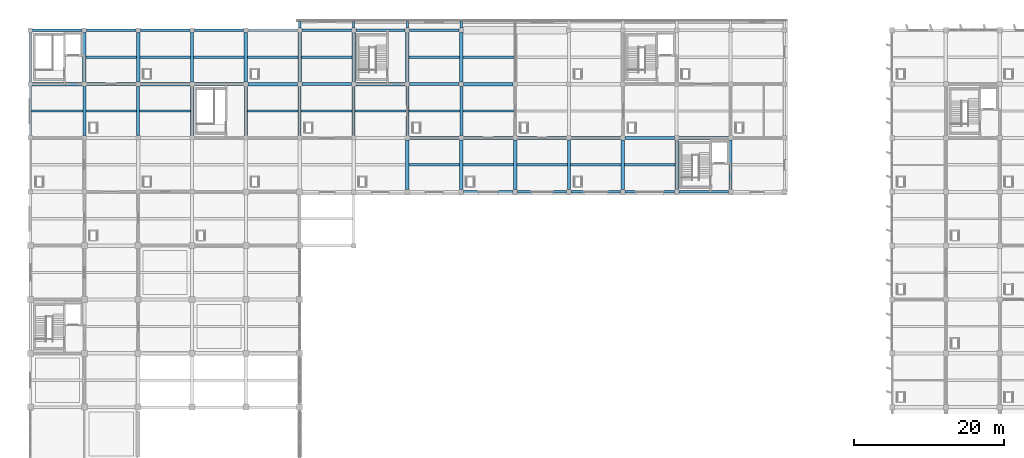
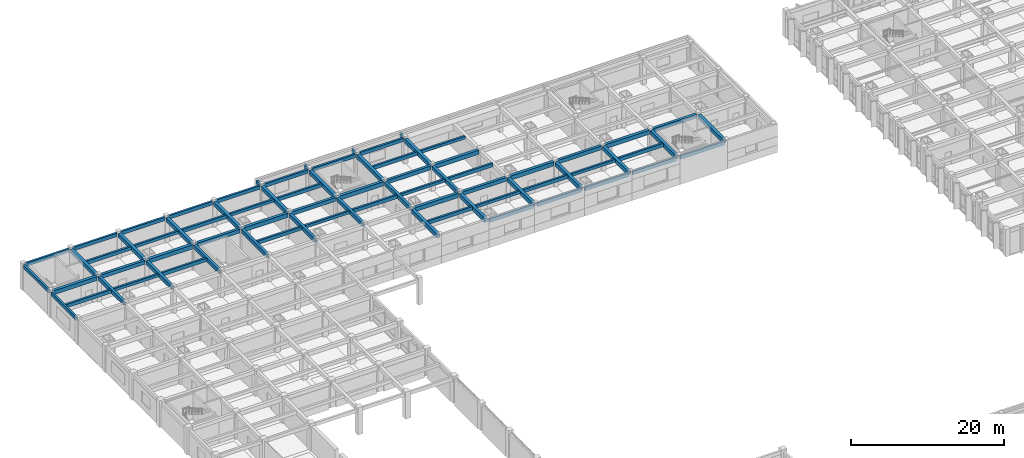
# One storey, part 14 of 70: 77 beams.
"""IFC4 building model written with IfcOpenShell, lengths in metres."""

from ifc_helpers import new_model, si_unit, direction, frame, origin, origin_2d, place, context, subcontext, project, spatial, rectangle, extrude, material, material_profile, profile_set, type_object, element, save


model = new_model("IFC4")

# Units and contexts
model_context = context("Model", 3, precision=1e-05, world=origin(), true_north=direction((0.0, 1.0)))
body_context = subcontext(model_context, "Body", "Model", "MODEL_VIEW")
ifc_project = project(units=[si_unit("LENGTHUNIT", "METRE"), si_unit("AREAUNIT", "SQUARE_METRE"), si_unit("VOLUMEUNIT", "CUBIC_METRE"), si_unit("PLANEANGLEUNIT", "RADIAN"), si_unit("MASSUNIT", "GRAM", prefix="KILO")], contexts=[model_context])

# Site, building, storey
site_placement = place(None, origin())
site = spatial("IfcSite", under=ifc_project, at=site_placement, CompositionType="ELEMENT")
building_placement = place(site_placement, origin())
building = spatial("IfcBuilding", under=site, at=building_placement, Name="Kavelor Marine Aquarium", CompositionType="ELEMENT")
storey_placement = place(building_placement, frame((0.0, 0.0, 9.179931640625)))
storey = spatial("IfcBuildingStorey", under=building, at=storey_placement, Name="L02", CompositionType="ELEMENT", Elevation=9.179931640625)

# Beams
ifc_material_1 = material(Name="Concrete C40/50", Category="concrete")
ifc_material_profile_1 = material_profile(ifc_material_1, rectangle(XDim=0.449951171875, YDim=0.64990234375, at=origin_2d()), Name="RC-BM 450x650")
ifc_profile_set_1 = profile_set([ifc_material_profile_1], Name="Concrete C40/50")
beam_type_1 = type_object("IfcBeamType", Name="BM-B3", PredefinedType="BEAM", material=ifc_profile_set_1)
for number, where, z_axis, x_axis, name in (
    (1, (3.5, 103.60009765625, 3.715087890625), (1.0, 0.0, 0.0), (0.0, 1.0, 0.0), "bm:x:L02:L03:00_14"),
    (2, (17.89990234375, 103.60009765625, 3.715087890625), (1.0, 0.0, 0.0), (0.0, 1.0, 0.0), "bm:x:L02:L03:02_14"),
):
    element("IfcBeam", number, at=place(storey_placement, frame(where, z_axis=z_axis, x_axis=x_axis)), inside=storey, type_object=beam_type_1, Name=name, PredefinedType="BEAM", context=body_context, shape_type="SweptSolid", body=[
        extrude(rectangle(XDim=0.449951171875, YDim=0.64990234375, at=origin_2d()), origin(), (0.0, 0.0, 1.0), 6.60009765625),
    ])
beam_1_placement = place(storey_placement, frame((32.300048828125, 103.60009765625, 3.715087890625), z_axis=(1.0, 0.0, 0.0), x_axis=(0.0, 1.0, 0.0)))
element("IfcBeam", 3, at=beam_1_placement, inside=storey, type_object=beam_type_1, Name="bm:x:L02:L03:04_14", PredefinedType="BEAM", context=body_context, shape_type="SweptSolid", body=[
    extrude(rectangle(XDim=0.449951171875, YDim=0.64990234375, at=origin_2d()), origin(), (0.0, 0.0, 1.0), 6.599853515625),
])
for number, where, z_axis, x_axis, name in (
    (4, (46.699951171875, 103.60009765625, 3.695068359375), (1.0, 0.0, 0.0), (0.0, 1.0, 0.0), "bm:x:L02:L03:06_14"),
    (5, (53.89990234375, 96.39990234375, 3.695068359375), (1.0, 0.0, 0.0), (0.0, 1.0, 0.0), "bm:x:L02:L03:07_13"),
):
    element("IfcBeam", number, at=place(storey_placement, frame(where, z_axis=z_axis, x_axis=x_axis)), inside=storey, type_object=beam_type_1, Name=name, PredefinedType="BEAM", context=body_context, shape_type="SweptSolid", body=[
        extrude(rectangle(XDim=0.449951171875, YDim=0.64990234375, at=origin_2d()), origin(), (0.0, 0.0, 1.0), 6.60009765625),
    ])
for number, where, z_axis, x_axis, name in (
    (6, (61.10009765625, 103.60009765625, 3.695068359375), (1.0, 0.0, 0.0), (0.0, 1.0, 0.0), "bm:x:L02:L03:08_14"),
    (7, (68.300048828125, 96.39990234375, 3.695068359375), (1.0, 0.0, 0.0), (0.0, 1.0, 0.0), "bm:x:L02:L03:09_13"),
):
    element("IfcBeam", number, at=place(storey_placement, frame(where, z_axis=z_axis, x_axis=x_axis)), inside=storey, type_object=beam_type_1, Name=name, PredefinedType="BEAM", context=body_context, shape_type="SweptSolid", body=[
        extrude(rectangle(XDim=0.449951171875, YDim=0.64990234375, at=origin_2d()), origin(), (0.0, 0.0, 1.0), 6.599853515625),
    ])
for number, where, z_axis, x_axis, name in (
    (8, (82.699951171875, 96.39990234375, 3.695068359375), (1.0, 0.0, 0.0), (0.0, 1.0, 0.0), "bm:x:L02:L03:11_13"),
    (9, (10.39990234375, 103.89990234375, 3.715087890625), (0.0, 1.0, 0.0), (-1.0, 0.0, 0.0), "bm:y:L02:L03:01_14"),
    (10, (17.60009765625, 103.89990234375, 3.715087890625), (0.0, 1.0, 0.0), (-1.0, 0.0, 0.0), "bm:y:L02:L03:02_14"),
    (11, (24.800048828125, 103.89990234375, 3.715087890625), (0.0, 1.0, 0.0), (-1.0, 0.0, 0.0), "bm:y:L02:L03:03_14"),
    (12, (32.0, 103.89990234375, 3.715087890625), (0.0, 1.0, 0.0), (-1.0, 0.0, 0.0), "bm:y:L02:L03:04_14"),
    (13, (39.199951171875, 103.89990234375, 3.715087890625), (0.0, 1.0, 0.0), (-1.0, 0.0, 0.0), "bm:y:L02:L03:05_14"),
    (14, (46.39990234375, 103.89990234375, 3.695068359375), (0.0, 1.0, 0.0), (-1.0, 0.0, 0.0), "bm:y:L02:L03:06_14"),
    (15, (53.60009765625, 89.5, 3.695068359375), (0.0, 1.0, 0.0), (-1.0, 0.0, 0.0), "bm:y:L02:L03:07_12"),
    (16, (53.60009765625, 103.89990234375, 3.695068359375), (0.0, 1.0, 0.0), (-1.0, 0.0, 0.0), "bm:y:L02:L03:07_14"),
    (17, (60.800048828125, 89.5, 3.695068359375), (0.0, 1.0, 0.0), (-1.0, 0.0, 0.0), "bm:y:L02:L03:08_12"),
    (18, (60.800048828125, 103.89990234375, 3.695068359375), (0.0, 1.0, 0.0), (-1.0, 0.0, 0.0), "bm:y:L02:L03:08_14"),
    (19, (68.0, 89.5, 3.695068359375), (0.0, 1.0, 0.0), (-1.0, 0.0, 0.0), "bm:y:L02:L03:09_12"),
    (20, (75.199951171875, 89.5, 3.695068359375), (0.0, 1.0, 0.0), (-1.0, 0.0, 0.0), "bm:y:L02:L03:10_12"),
    (21, (82.39990234375, 89.5, 3.695068359375), (0.0, 1.0, 0.0), (-1.0, 0.0, 0.0), "bm:y:L02:L03:11_12"),
    (22, (89.60009765625, 89.5, 3.695068359375), (0.0, 1.0, 0.0), (-1.0, 0.0, 0.0), "bm:y:L02:L03:12_12"),
    (23, (96.800048828125, 89.5, 3.695068359375), (0.0, 1.0, 0.0), (-1.0, 0.0, 0.0), "bm:y:L02:L03:13_12"),
):
    element("IfcBeam", number, at=place(storey_placement, frame(where, z_axis=z_axis, x_axis=x_axis)), inside=storey, type_object=beam_type_1, Name=name, PredefinedType="BEAM", context=body_context, shape_type="SweptSolid", body=[
        extrude(rectangle(XDim=0.449951171875, YDim=0.64990234375, at=origin_2d()), origin(), (0.0, 0.0, 1.0), 6.60009765625),
    ])
ifc_material_2 = material(Name="Concrete C40/50", Category="concrete")
ifc_material_profile_2 = material_profile(ifc_material_2, rectangle(XDim=0.39990234375, YDim=0.60009765625, at=origin_2d()), Name="RC-BM 400x600")
ifc_profile_set_2 = profile_set([ifc_material_profile_2], Name="Concrete C40/50")
beam_type_2 = type_object("IfcBeamType", Name="BM-B4", PredefinedType="BEAM", material=ifc_profile_set_2)
beam_2_placement = place(storey_placement, frame((10.699951171875, 103.60009765625, 3.739990234375), z_axis=(1.0, 0.0, 0.0), x_axis=(0.0, 1.0, 0.0)))
element("IfcBeam", 24, at=beam_2_placement, inside=storey, type_object=beam_type_2, Name="bm:x:L02:L03:01_14", PredefinedType="BEAM", context=body_context, shape_type="SweptSolid", body=[
    extrude(rectangle(XDim=0.39990234375, YDim=0.60009765625, at=origin_2d()), origin(), (0.0, 0.0, 1.0), 6.60009765625),
])
beam_3_placement = place(storey_placement, frame((25.10009765625, 103.60009765625, 3.739990234375), z_axis=(1.0, 0.0, 0.0), x_axis=(0.0, 1.0, 0.0)))
element("IfcBeam", 25, at=beam_3_placement, inside=storey, type_object=beam_type_2, Name="bm:x:L02:L03:03_14", PredefinedType="BEAM", context=body_context, shape_type="SweptSolid", body=[
    extrude(rectangle(XDim=0.39990234375, YDim=0.60009765625, at=origin_2d()), origin(), (0.0, 0.0, 1.0), 6.599853515625),
])
for number, where, z_axis, x_axis, name in (
    (26, (39.5, 103.60009765625, 3.719970703125), (1.0, 0.0, 0.0), (0.0, 1.0, 0.0), "bm:x:L02:L03:05_14"),
    (27, (53.89990234375, 103.60009765625, 3.719970703125), (1.0, 0.0, 0.0), (0.0, 1.0, 0.0), "bm:x:L02:L03:07_14"),
):
    element("IfcBeam", number, at=place(storey_placement, frame(where, z_axis=z_axis, x_axis=x_axis)), inside=storey, type_object=beam_type_2, Name=name, PredefinedType="BEAM", context=body_context, shape_type="SweptSolid", body=[
        extrude(rectangle(XDim=0.39990234375, YDim=0.60009765625, at=origin_2d()), origin(), (0.0, 0.0, 1.0), 6.60009765625),
    ])
beam_4_placement = place(storey_placement, frame((61.10009765625, 96.39990234375, 3.719970703125), z_axis=(1.0, 0.0, 0.0), x_axis=(0.0, 1.0, 0.0)))
element("IfcBeam", 28, at=beam_4_placement, inside=storey, type_object=beam_type_2, Name="bm:x:L02:L03:08_13", PredefinedType="BEAM", context=body_context, shape_type="SweptSolid", body=[
    extrude(rectangle(XDim=0.39990234375, YDim=0.60009765625, at=origin_2d()), origin(), (0.0, 0.0, 1.0), 6.599853515625),
])
for number, where, z_axis, x_axis, name in (
    (29, (75.5, 96.39990234375, 3.719970703125), (1.0, 0.0, 0.0), (0.0, 1.0, 0.0), "bm:x:L02:L03:10_13"),
    (30, (89.89990234375, 96.39990234375, 3.719970703125), (1.0, 0.0, 0.0), (0.0, 1.0, 0.0), "bm:x:L02:L03:12_13"),
    (31, (10.39990234375, 96.699951171875, 3.739990234375), (0.0, 1.0, 0.0), (-1.0, 0.0, 0.0), "bm:y:L02:L03:01_13"),
    (32, (17.60009765625, 96.699951171875, 3.739990234375), (0.0, 1.0, 0.0), (-1.0, 0.0, 0.0), "bm:y:L02:L03:02_13"),
    (33, (24.800048828125, 96.699951171875, 3.739990234375), (0.0, 1.0, 0.0), (-1.0, 0.0, 0.0), "bm:y:L02:L03:03_13"),
    (34, (32.0, 96.699951171875, 3.739990234375), (0.0, 1.0, 0.0), (-1.0, 0.0, 0.0), "bm:y:L02:L03:04_13"),
    (35, (39.199951171875, 96.699951171875, 3.719970703125), (0.0, 1.0, 0.0), (-1.0, 0.0, 0.0), "bm:y:L02:L03:05_13"),
    (36, (46.39990234375, 96.699951171875, 3.719970703125), (0.0, 1.0, 0.0), (-1.0, 0.0, 0.0), "bm:y:L02:L03:06_13"),
    (37, (53.60009765625, 96.699951171875, 3.719970703125), (0.0, 1.0, 0.0), (-1.0, 0.0, 0.0), "bm:y:L02:L03:07_13"),
    (38, (60.800048828125, 96.699951171875, 3.719970703125), (0.0, 1.0, 0.0), (-1.0, 0.0, 0.0), "bm:y:L02:L03:08_13"),
):
    element("IfcBeam", number, at=place(storey_placement, frame(where, z_axis=z_axis, x_axis=x_axis)), inside=storey, type_object=beam_type_2, Name=name, PredefinedType="BEAM", context=body_context, shape_type="SweptSolid", body=[
        extrude(rectangle(XDim=0.39990234375, YDim=0.60009765625, at=origin_2d()), origin(), (0.0, 0.0, 1.0), 6.60009765625),
    ])
ifc_material_3 = material(Name="Concrete C40/50", Category="concrete")
ifc_material_profile_3 = material_profile(ifc_material_3, rectangle(XDim=0.300048828125, YDim=0.449951171875, at=origin_2d()), Name="RC-JS 300x450")
ifc_profile_set_3 = profile_set([ifc_material_profile_3], Name="Concrete C40/50")
beam_type_3 = type_object("IfcBeamType", Name="BM-JS1", PredefinedType="JOIST", material=ifc_profile_set_3)
beam_5_placement = place(storey_placement, frame((10.60009765625, 100.0, 3.815185546875), z_axis=(1.0, 0.0, 0.0), x_axis=(0.0, 1.0, 0.0)))
element("IfcBeam", 39, at=beam_5_placement, inside=storey, type_object=beam_type_3, Name="js:L02:L03:01_13", PredefinedType="JOIST", context=body_context, shape_type="SweptSolid", body=[
    extrude(rectangle(XDim=0.300048828125, YDim=0.449951171875, at=origin_2d()), origin(), (0.0, 0.0, 1.0), 6.7998046875),
])
for number, where, z_axis, x_axis, name in (
    (40, (17.824951171875, 107.199951171875, 3.815185546875), (1.0, 0.0, 0.0), (0.0, 1.0, 0.0), "js:L02:L03:02_14"),
    (41, (32.22509765625, 107.199951171875, 3.815185546875), (1.0, 0.0, 0.0), (0.0, 1.0, 0.0), "js:L02:L03:04_14"),
):
    element("IfcBeam", number, at=place(storey_placement, frame(where, z_axis=z_axis, x_axis=x_axis)), inside=storey, type_object=beam_type_3, Name=name, PredefinedType="JOIST", context=body_context, shape_type="SweptSolid", body=[
        extrude(rectangle(XDim=0.300048828125, YDim=0.449951171875, at=origin_2d()), origin(), (0.0, 0.0, 1.0), 6.75),
    ])
for number, where, z_axis, x_axis, name in (
    (42, (39.39990234375, 100.0, 3.795166015625), (1.0, 0.0, 0.0), (0.0, 1.0, 0.0), "js:L02:L03:05_13"),
    (43, (53.800048828125, 100.0, 3.795166015625), (1.0, 0.0, 0.0), (0.0, 1.0, 0.0), "js:L02:L03:07_13"),
):
    element("IfcBeam", number, at=place(storey_placement, frame(where, z_axis=z_axis, x_axis=x_axis)), inside=storey, type_object=beam_type_3, Name=name, PredefinedType="JOIST", context=body_context, shape_type="SweptSolid", body=[
        extrude(rectangle(XDim=0.300048828125, YDim=0.449951171875, at=origin_2d()), origin(), (0.0, 0.0, 1.0), 6.800048828125),
    ])
for number, where, z_axis, x_axis, name in (
    (44, (61.02490234375, 92.800048828125, 3.795166015625), (1.0, 0.0, 0.0), (0.0, 1.0, 0.0), "js:L02:L03:08_12"),
    (45, (61.02490234375, 107.199951171875, 3.795166015625), (1.0, 0.0, 0.0), (0.0, 1.0, 0.0), "js:L02:L03:08_14"),
    (46, (75.425048828125, 92.800048828125, 3.795166015625), (1.0, 0.0, 0.0), (0.0, 1.0, 0.0), "js:L02:L03:10_12"),
):
    element("IfcBeam", number, at=place(storey_placement, frame(where, z_axis=z_axis, x_axis=x_axis)), inside=storey, type_object=beam_type_3, Name=name, PredefinedType="JOIST", context=body_context, shape_type="SweptSolid", body=[
        extrude(rectangle(XDim=0.300048828125, YDim=0.449951171875, at=origin_2d()), origin(), (0.0, 0.0, 1.0), 6.75),
    ])
ifc_material_4 = material(Name="Concrete C40/50", Category="concrete")
ifc_material_profile_4 = material_profile(ifc_material_4, rectangle(XDim=0.300048828125, YDim=0.550048828125, at=origin_2d()), Name="RC-JS 300x550")
ifc_profile_set_4 = profile_set([ifc_material_profile_4], Name="Concrete C40/50")
beam_type_4 = type_object("IfcBeamType", Name="BM-JS2", PredefinedType="JOIST", material=ifc_profile_set_4)
beam_6_placement = place(storey_placement, frame((3.35009765625, 100.0, 3.76513671875), z_axis=(1.0, 0.0, 0.0), x_axis=(0.0, 1.0, 0.0)))
element("IfcBeam", 47, at=beam_6_placement, inside=storey, type_object=beam_type_4, Name="js:L02:L03:00_13", PredefinedType="JOIST", context=body_context, shape_type="SweptSolid", body=[
    extrude(rectangle(XDim=0.300048828125, YDim=0.550048828125, at=origin_2d()), origin(), (0.0, 0.0, 1.0), 6.849853515625),
])
beam_7_placement = place(storey_placement, frame((10.625, 107.199951171875, 3.76513671875), z_axis=(1.0, 0.0, 0.0), x_axis=(0.0, 1.0, 0.0)))
element("IfcBeam", 48, at=beam_7_placement, inside=storey, type_object=beam_type_4, Name="js:L02:L03:01_14", PredefinedType="JOIST", context=body_context, shape_type="SweptSolid", body=[
    extrude(rectangle(XDim=0.300048828125, YDim=0.550048828125, at=origin_2d()), origin(), (0.0, 0.0, 1.0), 6.75),
])
beam_8_placement = place(storey_placement, frame((17.800048828125, 100.0, 3.76513671875), z_axis=(1.0, 0.0, 0.0), x_axis=(0.0, 1.0, 0.0)))
element("IfcBeam", 49, at=beam_8_placement, inside=storey, type_object=beam_type_4, Name="js:L02:L03:02_13", PredefinedType="JOIST", context=body_context, shape_type="SweptSolid", body=[
    extrude(rectangle(XDim=0.300048828125, YDim=0.550048828125, at=origin_2d()), origin(), (0.0, 0.0, 1.0), 6.800048828125),
])
beam_9_placement = place(storey_placement, frame((25.02490234375, 107.199951171875, 3.76513671875), z_axis=(1.0, 0.0, 0.0), x_axis=(0.0, 1.0, 0.0)))
element("IfcBeam", 50, at=beam_9_placement, inside=storey, type_object=beam_type_4, Name="js:L02:L03:03_14", PredefinedType="JOIST", context=body_context, shape_type="SweptSolid", body=[
    extrude(rectangle(XDim=0.300048828125, YDim=0.550048828125, at=origin_2d()), origin(), (0.0, 0.0, 1.0), 6.75),
])
beam_10_placement = place(storey_placement, frame((32.199951171875, 100.0, 3.76513671875), z_axis=(1.0, 0.0, 0.0), x_axis=(0.0, 1.0, 0.0)))
element("IfcBeam", 51, at=beam_10_placement, inside=storey, type_object=beam_type_4, Name="js:L02:L03:04_13", PredefinedType="JOIST", context=body_context, shape_type="SweptSolid", body=[
    extrude(rectangle(XDim=0.300048828125, YDim=0.550048828125, at=origin_2d()), origin(), (0.0, 0.0, 1.0), 6.800048828125),
])
beam_11_placement = place(storey_placement, frame((39.425048828125, 107.199951171875, 3.76513671875), z_axis=(1.0, 0.0, 0.0), x_axis=(0.0, 1.0, 0.0)))
element("IfcBeam", 52, at=beam_11_placement, inside=storey, type_object=beam_type_4, Name="js:L02:L03:05_14", PredefinedType="JOIST", context=body_context, shape_type="SweptSolid", body=[
    extrude(rectangle(XDim=0.300048828125, YDim=0.550048828125, at=origin_2d()), origin(), (0.0, 0.0, 1.0), 6.75),
])
beam_12_placement = place(storey_placement, frame((46.60009765625, 100.0, 3.76513671875), z_axis=(1.0, 0.0, 0.0), x_axis=(0.0, 1.0, 0.0)))
element("IfcBeam", 53, at=beam_12_placement, inside=storey, type_object=beam_type_4, Name="js:L02:L03:06_13", PredefinedType="JOIST", context=body_context, shape_type="SweptSolid", body=[
    extrude(rectangle(XDim=0.300048828125, YDim=0.550048828125, at=origin_2d()), origin(), (0.0, 0.0, 1.0), 6.7998046875),
])
for number, where, z_axis, x_axis, name in (
    (54, (53.824951171875, 92.800048828125, 3.76513671875), (1.0, 0.0, 0.0), (0.0, 1.0, 0.0), "js:L02:L03:07_12"),
    (55, (53.824951171875, 107.199951171875, 3.76513671875), (1.0, 0.0, 0.0), (0.0, 1.0, 0.0), "js:L02:L03:07_14"),
):
    element("IfcBeam", number, at=place(storey_placement, frame(where, z_axis=z_axis, x_axis=x_axis)), inside=storey, type_object=beam_type_4, Name=name, PredefinedType="JOIST", context=body_context, shape_type="SweptSolid", body=[
        extrude(rectangle(XDim=0.300048828125, YDim=0.550048828125, at=origin_2d()), origin(), (0.0, 0.0, 1.0), 6.75),
    ])
beam_13_placement = place(storey_placement, frame((61.0, 100.0, 3.76513671875), z_axis=(1.0, 0.0, 0.0), x_axis=(0.0, 1.0, 0.0)))
element("IfcBeam", 56, at=beam_13_placement, inside=storey, type_object=beam_type_4, Name="js:L02:L03:08_13", PredefinedType="JOIST", context=body_context, shape_type="SweptSolid", body=[
    extrude(rectangle(XDim=0.300048828125, YDim=0.550048828125, at=origin_2d()), origin(), (0.0, 0.0, 1.0), 6.800048828125),
])
for number, where, z_axis, x_axis, name in (
    (57, (68.22509765625, 92.800048828125, 3.76513671875), (1.0, 0.0, 0.0), (0.0, 1.0, 0.0), "js:L02:L03:09_12"),
    (58, (82.625, 92.800048828125, 3.76513671875), (1.0, 0.0, 0.0), (0.0, 1.0, 0.0), "js:L02:L03:11_12"),
):
    element("IfcBeam", number, at=place(storey_placement, frame(where, z_axis=z_axis, x_axis=x_axis)), inside=storey, type_object=beam_type_4, Name=name, PredefinedType="JOIST", context=body_context, shape_type="SweptSolid", body=[
        extrude(rectangle(XDim=0.300048828125, YDim=0.550048828125, at=origin_2d()), origin(), (0.0, 0.0, 1.0), 6.75),
    ])
ifc_material_5 = material(Name="Concrete C40/50", Category="concrete")
ifc_material_profile_5 = material_profile(ifc_material_5, rectangle(XDim=0.300048828125, YDim=0.550048828125, at=origin_2d()), Name="RC-SP 300x550")
ifc_profile_set_5 = profile_set([ifc_material_profile_5], Name="Concrete C40/50")
beam_type_5 = type_object("IfcBeamType", Name="BM-SP2", PredefinedType="SPANDREL", material=ifc_profile_set_5)
for number, where, z_axis, x_axis, name in (
    (59, (3.5, 110.800048828125, 3.76513671875), (1.0, 0.0, 0.0), (0.0, 1.0, 0.0), "bm:x:L02:L03:00_15"),
    (60, (10.699951171875, 110.800048828125, 3.76513671875), (1.0, 0.0, 0.0), (0.0, 1.0, 0.0), "bm:x:L02:L03:01_15"),
    (61, (17.89990234375, 110.800048828125, 3.76513671875), (1.0, 0.0, 0.0), (0.0, 1.0, 0.0), "bm:x:L02:L03:02_15"),
):
    element("IfcBeam", number, at=place(storey_placement, frame(where, z_axis=z_axis, x_axis=x_axis)), inside=storey, type_object=beam_type_5, Name=name, PredefinedType="SPANDREL", context=body_context, shape_type="SweptSolid", body=[
        extrude(rectangle(XDim=0.300048828125, YDim=0.550048828125, at=origin_2d()), origin(), (0.0, 0.0, 1.0), 6.60009765625),
    ])
for number, where, z_axis, x_axis, name in (
    (62, (25.10009765625, 110.800048828125, 3.76513671875), (1.0, 0.0, 0.0), (0.0, 1.0, 0.0), "bm:x:L02:L03:03_15"),
    (63, (32.300048828125, 110.800048828125, 3.76513671875), (1.0, 0.0, 0.0), (0.0, 1.0, 0.0), "bm:x:L02:L03:04_15"),
):
    element("IfcBeam", number, at=place(storey_placement, frame(where, z_axis=z_axis, x_axis=x_axis)), inside=storey, type_object=beam_type_5, Name=name, PredefinedType="SPANDREL", context=body_context, shape_type="SweptSolid", body=[
        extrude(rectangle(XDim=0.300048828125, YDim=0.550048828125, at=origin_2d()), origin(), (0.0, 0.0, 1.0), 6.599853515625),
    ])
for number, where, z_axis, x_axis, name in (
    (64, (39.5, 110.800048828125, 3.76513671875), (1.0, 0.0, 0.0), (0.0, 1.0, 0.0), "bm:x:L02:L03:05_15"),
    (65, (46.699951171875, 110.800048828125, 3.7451171875), (1.0, 0.0, 0.0), (0.0, 1.0, 0.0), "bm:x:L02:L03:06_15"),
    (66, (53.89990234375, 110.800048828125, 3.76513671875), (1.0, 0.0, 0.0), (0.0, 1.0, 0.0), "bm:x:L02:L03:07_15"),
):
    element("IfcBeam", number, at=place(storey_placement, frame(where, z_axis=z_axis, x_axis=x_axis)), inside=storey, type_object=beam_type_5, Name=name, PredefinedType="SPANDREL", context=body_context, shape_type="SweptSolid", body=[
        extrude(rectangle(XDim=0.300048828125, YDim=0.550048828125, at=origin_2d()), origin(), (0.0, 0.0, 1.0), 6.60009765625),
    ])
for number, where, z_axis, x_axis, name in (
    (67, (61.10009765625, 89.199951171875, 3.7451171875), (1.0, 0.0, 0.0), (0.0, 1.0, 0.0), "bm:x:L02:L03:08_12"),
    (68, (68.300048828125, 89.199951171875, 3.76513671875), (1.0, 0.0, 0.0), (0.0, 1.0, 0.0), "bm:x:L02:L03:09_12"),
):
    element("IfcBeam", number, at=place(storey_placement, frame(where, z_axis=z_axis, x_axis=x_axis)), inside=storey, type_object=beam_type_5, Name=name, PredefinedType="SPANDREL", context=body_context, shape_type="SweptSolid", body=[
        extrude(rectangle(XDim=0.300048828125, YDim=0.550048828125, at=origin_2d()), origin(), (0.0, 0.0, 1.0), 6.599853515625),
    ])
for number, where, z_axis, x_axis, name in (
    (69, (75.5, 89.199951171875, 3.7451171875), (1.0, 0.0, 0.0), (0.0, 1.0, 0.0), "bm:x:L02:L03:10_12"),
    (70, (82.699951171875, 89.199951171875, 3.76513671875), (1.0, 0.0, 0.0), (0.0, 1.0, 0.0), "bm:x:L02:L03:11_12"),
    (71, (89.89990234375, 89.199951171875, 3.7451171875), (1.0, 0.0, 0.0), (0.0, 1.0, 0.0), "bm:x:L02:L03:12_12"),
    (72, (3.199951171875, 96.699951171875, 3.76513671875), (0.0, 1.0, 0.0), (-1.0, 0.0, 0.0), "bm:y:L02:L03:00_13"),
    (73, (3.199951171875, 103.89990234375, 3.76513671875), (0.0, 1.0, 0.0), (-1.0, 0.0, 0.0), "bm:y:L02:L03:00_14"),
):
    element("IfcBeam", number, at=place(storey_placement, frame(where, z_axis=z_axis, x_axis=x_axis)), inside=storey, type_object=beam_type_5, Name=name, PredefinedType="SPANDREL", context=body_context, shape_type="SweptSolid", body=[
        extrude(rectangle(XDim=0.300048828125, YDim=0.550048828125, at=origin_2d()), origin(), (0.0, 0.0, 1.0), 6.60009765625),
    ])
for number, where, z_axis, x_axis, name in (
    (74, (39.199951171875, 111.10009765625, 3.76513671875), (0.0, 1.0, 0.0), (-1.0, 0.0, 0.0), "bm:out:n:L02:L03:05"),
    (75, (46.39990234375, 111.10009765625, 3.7451171875), (0.0, 1.0, 0.0), (-1.0, 0.0, 0.0), "bm:out:n:L02:L03:06"),
    (76, (53.60009765625, 111.10009765625, 3.7451171875), (0.0, 1.0, 0.0), (-1.0, 0.0, 0.0), "bm:out:n:L02:L03:07"),
    (77, (60.800048828125, 111.10009765625, 3.7451171875), (0.0, 1.0, 0.0), (-1.0, 0.0, 0.0), "bm:out:n:L02:L03:08"),
):
    element("IfcBeam", number, at=place(storey_placement, frame(where, z_axis=z_axis, x_axis=x_axis)), inside=storey, type_object=beam_type_5, Name=name, PredefinedType="SPANDREL", context=body_context, shape_type="SweptSolid", body=[
        extrude(rectangle(XDim=0.300048828125, YDim=0.550048828125, at=origin_2d()), origin(), (0.0, 0.0, 1.0), 0.85986328125),
    ])

save(model, "model.ifc")
